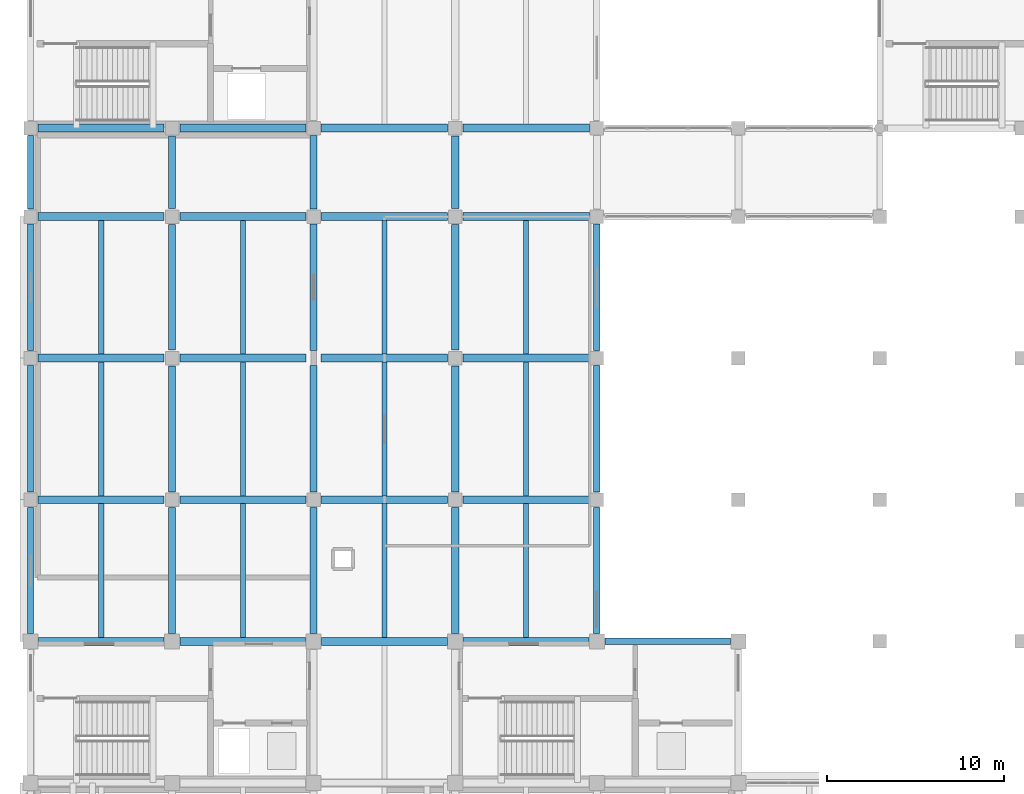
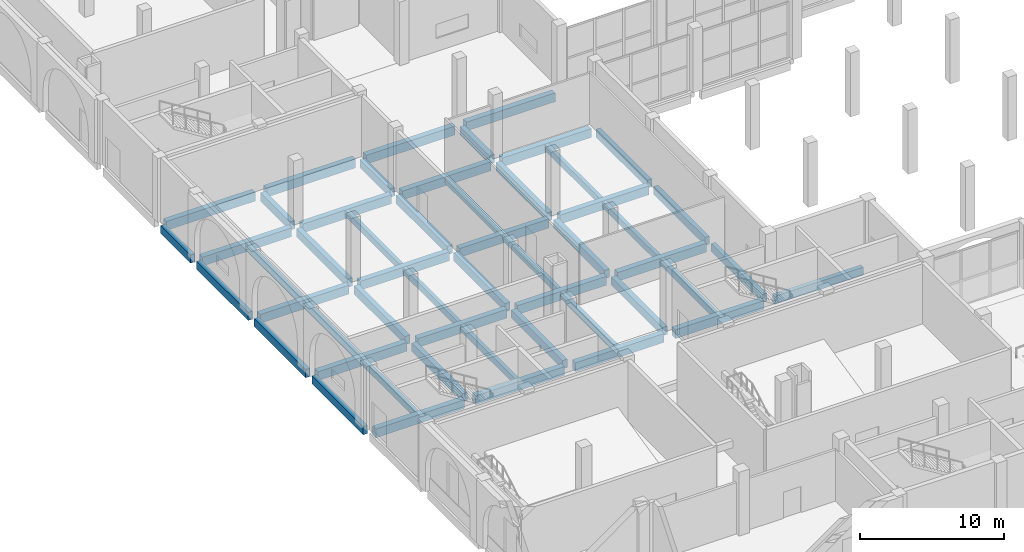
# One storey, part 4 of 40: 52 beams.
"""IFC4 building model written with IfcOpenShell, lengths in metres."""

from ifc_helpers import new_model, si_unit, direction, frame, origin, origin_2d, place, context, subcontext, project, spatial, rectangle, extrude, material, material_profile, profile_set, type_object, element, save


model = new_model("IFC4")

# Units and contexts
model_context = context("Model", 3, precision=1e-05, world=origin(), true_north=direction((0.0, 1.0)))
body_context = subcontext(model_context, "Body", "Model", "MODEL_VIEW")
ifc_project = project(units=[si_unit("LENGTHUNIT", "METRE"), si_unit("AREAUNIT", "SQUARE_METRE"), si_unit("VOLUMEUNIT", "CUBIC_METRE"), si_unit("PLANEANGLEUNIT", "RADIAN"), si_unit("MASSUNIT", "GRAM", prefix="KILO")], contexts=[model_context])

# Site, building, storey
site_placement = place(None, origin())
site = spatial("IfcSite", under=ifc_project, at=site_placement, CompositionType="ELEMENT")
building_placement = place(site_placement, origin())
building = spatial("IfcBuilding", under=site, at=building_placement, Name="Qorikala Patio Media Centre", CompositionType="ELEMENT")
storey_placement = place(building_placement, origin())
storey = spatial("IfcBuildingStorey", under=building, at=storey_placement, Name="L00", CompositionType="ELEMENT", Elevation=0.0)

# Beams
ifc_material = material(Name="Concrete C35/45", Category="concrete")
ifc_material_profile_1 = material_profile(ifc_material, rectangle(XDim=0.39990234375, YDim=0.699951171875, at=origin_2d()), Name="RC 400x700")
ifc_profile_set_1 = profile_set([ifc_material_profile_1], Name="Concrete C35/45")
beam_type_1 = type_object("IfcBeamType", Name="BM-G400X700", PredefinedType="BEAM", material=ifc_profile_set_1)
for number, where, z_axis, x_axis, name in (
    (1, (11.0, 35.449951171875, -0.64990234375), (0.0, 1.0, 0.0), (-1.0, 0.0, 0.0), "L00 Grid X=11 Beam 0175"),
    (2, (11.0, 43.449951171875, -0.64990234375), (0.0, 1.0, 0.0), (-1.0, 0.0, 0.0), "L00 Grid X=11 Beam 0176"),
    (3, (11.0, 51.449951171875, -0.64990234375), (0.0, 1.0, 0.0), (-1.0, 0.0, 0.0), "L00 Grid X=11 Beam 0177"),
):
    element("IfcBeam", number, at=place(storey_placement, frame(where, z_axis=z_axis, x_axis=x_axis)), inside=storey, type_object=beam_type_1, Name=name, PredefinedType="BEAM", context=body_context, shape_type="SweptSolid", body=[
        extrude(rectangle(XDim=0.39990234375, YDim=0.699951171875, at=origin_2d()), origin(), (0.0, 0.0, 1.0), 7.10009765625),
    ])
beam_1_placement = place(storey_placement, frame((11.0, 59.449951171875, -0.64990234375), z_axis=(0.0, 1.0, 0.0), x_axis=(-1.0, 0.0, 0.0)))
element("IfcBeam", 4, at=beam_1_placement, inside=storey, type_object=beam_type_1, Name="L00 Grid X=11 Beam 0178", PredefinedType="BEAM", context=body_context, shape_type="SweptSolid", body=[
    extrude(rectangle(XDim=0.39990234375, YDim=0.699951171875, at=origin_2d()), origin(), (0.0, 0.0, 1.0), 4.10009765625),
])
beam_2_placement = place(storey_placement, frame((19.0, 35.449951171875, -0.64990234375), z_axis=(0.0, 1.0, 0.0), x_axis=(-1.0, 0.0, 0.0)))
element("IfcBeam", 5, at=beam_2_placement, inside=storey, type_object=beam_type_1, Name="L00 Grid X=19 Beam 0189", PredefinedType="BEAM", context=body_context, shape_type="SweptSolid", body=[
    extrude(rectangle(XDim=0.39990234375, YDim=0.699951171875, at=origin_2d()), origin(), (0.0, 0.0, 1.0), 7.125),
])
for number, where, z_axis, x_axis, name in (
    (6, (19.0, 43.425048828125, -0.64990234375), (0.0, 1.0, 0.0), (-1.0, 0.0, 0.0), "L00 Grid X=19 Beam 0190"),
    (7, (19.0, 51.425048828125, -0.64990234375), (0.0, 1.0, 0.0), (-1.0, 0.0, 0.0), "L00 Grid X=19 Beam 0191"),
):
    element("IfcBeam", number, at=place(storey_placement, frame(where, z_axis=z_axis, x_axis=x_axis)), inside=storey, type_object=beam_type_1, Name=name, PredefinedType="BEAM", context=body_context, shape_type="SweptSolid", body=[
        extrude(rectangle(XDim=0.39990234375, YDim=0.699951171875, at=origin_2d()), origin(), (0.0, 0.0, 1.0), 7.14990234375),
    ])
beam_3_placement = place(storey_placement, frame((19.0, 59.425048828125, -0.64990234375), z_axis=(0.0, 1.0, 0.0), x_axis=(-1.0, 0.0, 0.0)))
element("IfcBeam", 8, at=beam_3_placement, inside=storey, type_object=beam_type_1, Name="L00 Grid X=19 Beam 0192", PredefinedType="BEAM", context=body_context, shape_type="SweptSolid", body=[
    extrude(rectangle(XDim=0.39990234375, YDim=0.699951171875, at=origin_2d()), origin(), (0.0, 0.0, 1.0), 4.14990234375),
])
for number, where, z_axis, x_axis, name in (
    (9, (27.0, 35.449951171875, -0.64990234375), (0.0, 1.0, 0.0), (-1.0, 0.0, 0.0), "L00 Grid X=27 Beam 0204"),
    (10, (27.0, 43.449951171875, -0.64990234375), (0.0, 1.0, 0.0), (-1.0, 0.0, 0.0), "L00 Grid X=27 Beam 0205"),
    (11, (27.0, 51.449951171875, -0.64990234375), (0.0, 1.0, 0.0), (-1.0, 0.0, 0.0), "L00 Grid X=27 Beam 0206"),
):
    element("IfcBeam", number, at=place(storey_placement, frame(where, z_axis=z_axis, x_axis=x_axis)), inside=storey, type_object=beam_type_1, Name=name, PredefinedType="BEAM", context=body_context, shape_type="SweptSolid", body=[
        extrude(rectangle(XDim=0.39990234375, YDim=0.699951171875, at=origin_2d()), origin(), (0.0, 0.0, 1.0), 7.10009765625),
    ])
beam_4_placement = place(storey_placement, frame((27.0, 59.449951171875, -0.64990234375), z_axis=(0.0, 1.0, 0.0), x_axis=(-1.0, 0.0, 0.0)))
element("IfcBeam", 12, at=beam_4_placement, inside=storey, type_object=beam_type_1, Name="L00 Grid X=27 Beam 0207", PredefinedType="BEAM", context=body_context, shape_type="SweptSolid", body=[
    extrude(rectangle(XDim=0.39990234375, YDim=0.699951171875, at=origin_2d()), origin(), (0.0, 0.0, 1.0), 4.10009765625),
])
ifc_material_profile_2 = material_profile(ifc_material, rectangle(XDim=0.449951171875, YDim=0.75, at=origin_2d()), Name="RC 450x750")
ifc_profile_set_2 = profile_set([ifc_material_profile_2], Name="Concrete C35/45")
beam_type_2 = type_object("IfcBeamType", Name="BM-G450X750", PredefinedType="BEAM", material=ifc_profile_set_2)
for number, where, z_axis, x_axis, name in (
    (13, (3.449951171875, 35.0, -0.675048828125), (1.0, 0.0, 0.0), (0.0, 1.0, 0.0), "L00 Grid 35 Beam 0085"),
    (14, (11.449951171875, 35.0, -0.675048828125), (1.0, 0.0, 0.0), (0.0, 1.0, 0.0), "L00 Grid 35 Beam 0086"),
    (15, (19.449951171875, 35.0, -0.675048828125), (1.0, 0.0, 0.0), (0.0, 1.0, 0.0), "L00 Grid 35 Beam 0087"),
    (16, (27.449951171875, 35.0, -0.675048828125), (1.0, 0.0, 0.0), (0.0, 1.0, 0.0), "L00 Grid 35 Beam 0088"),
):
    element("IfcBeam", number, at=place(storey_placement, frame(where, z_axis=z_axis, x_axis=x_axis)), inside=storey, type_object=beam_type_2, Name=name, PredefinedType="BEAM", context=body_context, shape_type="SweptSolid", body=[
        extrude(rectangle(XDim=0.449951171875, YDim=0.75, at=origin_2d()), origin(), (0.0, 0.0, 1.0), 7.10009765625),
    ])
for number, where, z_axis, x_axis, name in (
    (17, (3.425048828125, 43.0, -0.675048828125), (1.0, 0.0, 0.0), (0.0, 1.0, 0.0), "L00 Grid 43 Beam 0094"),
    (18, (11.449951171875, 43.0, -0.675048828125), (1.0, 0.0, 0.0), (0.0, 1.0, 0.0), "L00 Grid 43 Beam 0095"),
    (19, (19.425048828125, 43.0, -0.675048828125), (1.0, 0.0, 0.0), (0.0, 1.0, 0.0), "L00 Grid 43 Beam 0096"),
    (20, (27.449951171875, 43.0, -0.675048828125), (1.0, 0.0, 0.0), (0.0, 1.0, 0.0), "L00 Grid 43 Beam 0097"),
    (21, (3.425048828125, 51.0, -0.675048828125), (1.0, 0.0, 0.0), (0.0, 1.0, 0.0), "L00 Grid 51 Beam 0098"),
    (22, (11.449951171875, 51.0, -0.675048828125), (1.0, 0.0, 0.0), (0.0, 1.0, 0.0), "L00 Grid 51 Beam 0099"),
    (23, (19.425048828125, 51.0, -0.675048828125), (1.0, 0.0, 0.0), (0.0, 1.0, 0.0), "L00 Grid 51 Beam 0100"),
    (24, (27.449951171875, 51.0, -0.675048828125), (1.0, 0.0, 0.0), (0.0, 1.0, 0.0), "L00 Grid 51 Beam 0101"),
    (25, (3.425048828125, 59.0, -0.675048828125), (1.0, 0.0, 0.0), (0.0, 1.0, 0.0), "L00 Grid 59 Beam 0102"),
    (26, (11.449951171875, 59.0, -0.675048828125), (1.0, 0.0, 0.0), (0.0, 1.0, 0.0), "L00 Grid 59 Beam 0103"),
    (27, (19.425048828125, 59.0, -0.675048828125), (1.0, 0.0, 0.0), (0.0, 1.0, 0.0), "L00 Grid 59 Beam 0104"),
    (28, (27.449951171875, 59.0, -0.675048828125), (1.0, 0.0, 0.0), (0.0, 1.0, 0.0), "L00 Grid 59 Beam 0105"),
    (29, (3.425048828125, 64.0, -0.675048828125), (1.0, 0.0, 0.0), (0.0, 1.0, 0.0), "L00 Grid 64 Beam 0108"),
    (30, (11.449951171875, 64.0, -0.675048828125), (1.0, 0.0, 0.0), (0.0, 1.0, 0.0), "L00 Grid 64 Beam 0109"),
    (31, (19.425048828125, 64.0, -0.675048828125), (1.0, 0.0, 0.0), (0.0, 1.0, 0.0), "L00 Grid 64 Beam 0110"),
    (32, (27.449951171875, 64.0, -0.675048828125), (1.0, 0.0, 0.0), (0.0, 1.0, 0.0), "L00 Grid 64 Beam 0111"),
):
    element("IfcBeam", number, at=place(storey_placement, frame(where, z_axis=z_axis, x_axis=x_axis)), inside=storey, type_object=beam_type_2, Name=name, PredefinedType="BEAM", context=body_context, shape_type="SweptSolid", body=[
        extrude(rectangle(XDim=0.449951171875, YDim=0.75, at=origin_2d()), origin(), (0.0, 0.0, 1.0), 7.125),
    ])
ifc_material_profile_3 = material_profile(ifc_material, rectangle(XDim=0.300048828125, YDim=0.550048828125, at=origin_2d()), Name="RC 300x550")
ifc_profile_set_3 = profile_set([ifc_material_profile_3], Name="Concrete C35/45")
beam_type_3 = type_object("IfcBeamType", Name="JS-300X550", PredefinedType="JOIST", material=ifc_profile_set_3)
for number, where, z_axis, x_axis, name in (
    (33, (7.0, 35.22509765625, -0.574951171875), (0.0, 1.0, 0.0), (-1.0, 0.0, 0.0), "L00 Secondary Joist 0302"),
    (34, (7.0, 43.22509765625, -0.574951171875), (0.0, 1.0, 0.0), (-1.0, 0.0, 0.0), "L00 Secondary Joist 0303"),
    (35, (7.0, 51.22509765625, -0.574951171875), (0.0, 1.0, 0.0), (-1.0, 0.0, 0.0), "L00 Secondary Joist 0304"),
    (36, (15.0, 35.22509765625, -0.574951171875), (0.0, 1.0, 0.0), (-1.0, 0.0, 0.0), "L00 Secondary Joist 0313"),
    (37, (15.0, 43.22509765625, -0.574951171875), (0.0, 1.0, 0.0), (-1.0, 0.0, 0.0), "L00 Secondary Joist 0314"),
    (38, (15.0, 51.22509765625, -0.574951171875), (0.0, 1.0, 0.0), (-1.0, 0.0, 0.0), "L00 Secondary Joist 0315"),
    (39, (23.0, 35.22509765625, -0.574951171875), (0.0, 1.0, 0.0), (-1.0, 0.0, 0.0), "L00 Secondary Joist 0325"),
    (40, (23.0, 43.22509765625, -0.574951171875), (0.0, 1.0, 0.0), (-1.0, 0.0, 0.0), "L00 Secondary Joist 0326"),
    (41, (23.0, 51.22509765625, -0.574951171875), (0.0, 1.0, 0.0), (-1.0, 0.0, 0.0), "L00 Secondary Joist 0327"),
    (42, (31.0, 35.22509765625, -0.574951171875), (0.0, 1.0, 0.0), (-1.0, 0.0, 0.0), "L00 Secondary Joist 0336"),
    (43, (31.0, 43.22509765625, -0.574951171875), (0.0, 1.0, 0.0), (-1.0, 0.0, 0.0), "L00 Secondary Joist 0337"),
    (44, (31.0, 51.22509765625, -0.574951171875), (0.0, 1.0, 0.0), (-1.0, 0.0, 0.0), "L00 Secondary Joist 0338"),
):
    element("IfcBeam", number, at=place(storey_placement, frame(where, z_axis=z_axis, x_axis=x_axis)), inside=storey, type_object=beam_type_3, Name=name, PredefinedType="JOIST", context=body_context, shape_type="SweptSolid", body=[
        extrude(rectangle(XDim=0.300048828125, YDim=0.550048828125, at=origin_2d()), origin(), (0.0, 0.0, 1.0), 7.5498046875),
    ])
ifc_material_profile_4 = material_profile(ifc_material, rectangle(XDim=0.35009765625, YDim=0.679931640625, at=origin_2d()), Name="RC 350x680")
ifc_profile_set_4 = profile_set([ifc_material_profile_4], Name="Concrete C35/45")
beam_type_4 = type_object("IfcBeamType", Name="SP-350X680", PredefinedType="SPANDREL", material=ifc_profile_set_4)
beam_5_placement = place(storey_placement, frame((35.449951171875, 35.0, -0.639892578125), z_axis=(1.0, 0.0, 0.0), x_axis=(0.0, 1.0, 0.0)))
element("IfcBeam", 45, at=beam_5_placement, inside=storey, type_object=beam_type_4, Name="L00 Grid 35 Beam 0089", PredefinedType="SPANDREL", context=body_context, shape_type="SweptSolid", body=[
    extrude(rectangle(XDim=0.35009765625, YDim=0.679931640625, at=origin_2d()), origin(), (0.0, 0.0, 1.0), 7.10009765625),
])
beam_6_placement = place(storey_placement, frame((3.0, 35.449951171875, -0.639892578125), z_axis=(0.0, 1.0, 0.0), x_axis=(-1.0, 0.0, 0.0)))
element("IfcBeam", 46, at=beam_6_placement, inside=storey, type_object=beam_type_4, Name="L00 Grid X=3 Beam 0161", PredefinedType="SPANDREL", context=body_context, shape_type="SweptSolid", body=[
    extrude(rectangle(XDim=0.35009765625, YDim=0.679931640625, at=origin_2d()), origin(), (0.0, 0.0, 1.0), 7.125),
])
for number, where, z_axis, x_axis, name in (
    (47, (3.0, 43.425048828125, -0.639892578125), (0.0, 1.0, 0.0), (-1.0, 0.0, 0.0), "L00 Grid X=3 Beam 0162"),
    (48, (3.0, 51.425048828125, -0.639892578125), (0.0, 1.0, 0.0), (-1.0, 0.0, 0.0), "L00 Grid X=3 Beam 0163"),
):
    element("IfcBeam", number, at=place(storey_placement, frame(where, z_axis=z_axis, x_axis=x_axis)), inside=storey, type_object=beam_type_4, Name=name, PredefinedType="SPANDREL", context=body_context, shape_type="SweptSolid", body=[
        extrude(rectangle(XDim=0.35009765625, YDim=0.679931640625, at=origin_2d()), origin(), (0.0, 0.0, 1.0), 7.14990234375),
    ])
beam_7_placement = place(storey_placement, frame((3.0, 59.425048828125, -0.639892578125), z_axis=(0.0, 1.0, 0.0), x_axis=(-1.0, 0.0, 0.0)))
element("IfcBeam", 49, at=beam_7_placement, inside=storey, type_object=beam_type_4, Name="L00 Grid X=3 Beam 0164", PredefinedType="SPANDREL", context=body_context, shape_type="SweptSolid", body=[
    extrude(rectangle(XDim=0.35009765625, YDim=0.679931640625, at=origin_2d()), origin(), (0.0, 0.0, 1.0), 4.14990234375),
])
beam_8_placement = place(storey_placement, frame((35.0, 35.449951171875, -0.639892578125), z_axis=(0.0, 1.0, 0.0), x_axis=(-1.0, 0.0, 0.0)))
element("IfcBeam", 50, at=beam_8_placement, inside=storey, type_object=beam_type_4, Name="L00 Grid X=35 Beam 0217", PredefinedType="SPANDREL", context=body_context, shape_type="SweptSolid", body=[
    extrude(rectangle(XDim=0.35009765625, YDim=0.679931640625, at=origin_2d()), origin(), (0.0, 0.0, 1.0), 7.125),
])
for number, where, z_axis, x_axis, name in (
    (51, (35.0, 43.425048828125, -0.639892578125), (0.0, 1.0, 0.0), (-1.0, 0.0, 0.0), "L00 Grid X=35 Beam 0218"),
    (52, (35.0, 51.425048828125, -0.639892578125), (0.0, 1.0, 0.0), (-1.0, 0.0, 0.0), "L00 Grid X=35 Beam 0219"),
):
    element("IfcBeam", number, at=place(storey_placement, frame(where, z_axis=z_axis, x_axis=x_axis)), inside=storey, type_object=beam_type_4, Name=name, PredefinedType="SPANDREL", context=body_context, shape_type="SweptSolid", body=[
        extrude(rectangle(XDim=0.35009765625, YDim=0.679931640625, at=origin_2d()), origin(), (0.0, 0.0, 1.0), 7.14990234375),
    ])

save(model, "model.ifc")
